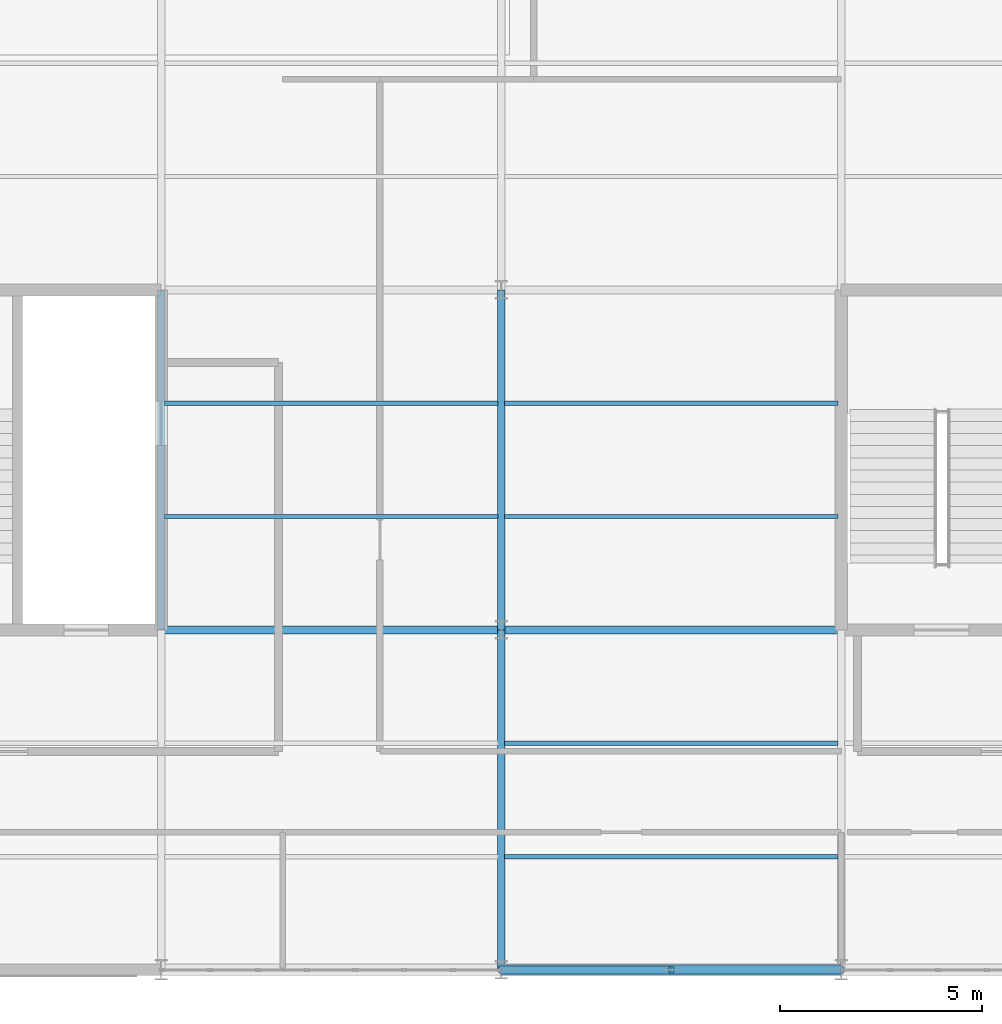
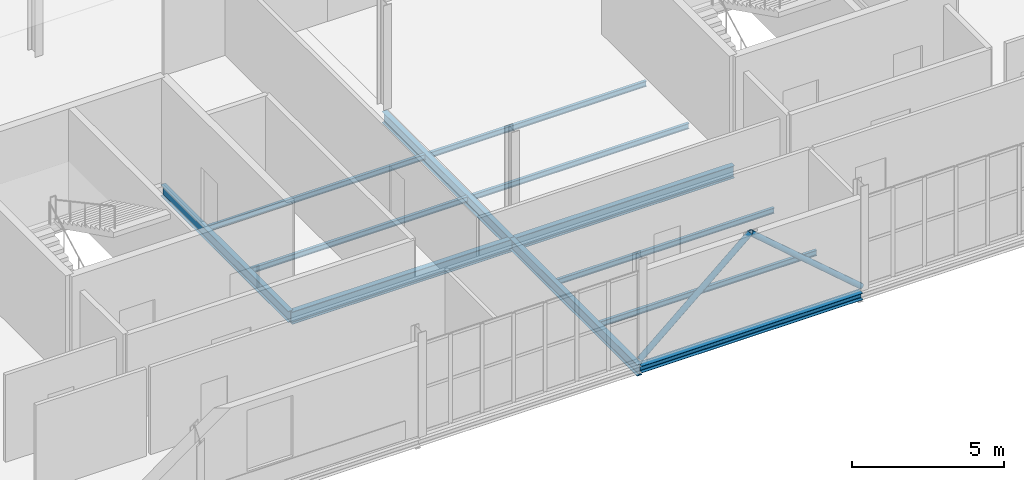
# One storey, part 18 of 65: 12 beams, 2 members.
"""IFC4 building model written with IfcOpenShell, lengths in metres."""

from ifc_helpers import new_model, si_unit, direction, frame, origin, origin_2d, place, context, subcontext, project, spatial, hollow_circle, i_section, extrude, material, material_profile, profile_set, type_object, element, save


model = new_model("IFC4")

# Units and contexts
model_context = context("Model", 3, precision=1e-05, world=origin(), true_north=direction((0.0, 1.0)))
body_context = subcontext(model_context, "Body", "Model", "MODEL_VIEW")
ifc_project = project(units=[si_unit("LENGTHUNIT", "METRE"), si_unit("AREAUNIT", "SQUARE_METRE"), si_unit("VOLUMEUNIT", "CUBIC_METRE"), si_unit("PLANEANGLEUNIT", "RADIAN"), si_unit("MASSUNIT", "GRAM", prefix="KILO")], contexts=[model_context])

# Site, building, storey
site_placement = place(None, origin())
site = spatial("IfcSite", under=ifc_project, at=site_placement, CompositionType="ELEMENT")
building_placement = place(site_placement, origin())
building = spatial("IfcBuilding", under=site, at=building_placement, Name="Qalvenar Corner Mobility Hub", CompositionType="ELEMENT")
storey_placement = place(building_placement, frame((0.0, 0.0, 17.39990234375)))
storey = spatial("IfcBuildingStorey", under=building, at=storey_placement, Name="L04", CompositionType="ELEMENT", Elevation=17.39990234375)

# Beams
ifc_material = material(Name="Steel S355", Category="steel")
ifc_material_profile_1 = material_profile(ifc_material, i_section(OverallWidth=0.18994140625, OverallDepth=0.449951171875, WebThickness=0.009521484375, FlangeThickness=0.0146484375, FilletRadius=0.02099609375, at=origin_2d()), Name="IPE450")
ifc_profile_set_1 = profile_set([ifc_material_profile_1], Name="Steel S355")
beam_type_1 = type_object("IfcBeamType", Name="BM-IPE450", PredefinedType="BEAM", material=ifc_profile_set_1)
beam_1_placement = place(storey_placement, frame((16.800048828125, 8.39990234375, -0.40478515625), z_axis=(0.0, 1.0, 0.0), x_axis=(-1.0, 0.0, 0.0)))
element("IfcBeam", 1, at=beam_1_placement, inside=storey, type_object=beam_type_1, Name="Primary Steel Girder GY-2638", PredefinedType="BEAM", context=body_context, shape_type="SweptSolid", body=[
    extrude(i_section(OverallWidth=0.18994140625, OverallDepth=0.449951171875, WebThickness=0.009521484375, FlangeThickness=0.0146484375, FilletRadius=0.02099609375, at=origin_2d()), origin(), (0.0, 0.0, 1.0), 8.400146484375),
])
beam_2_placement = place(storey_placement, frame((25.199951171875, 0.0, -0.40478515625), z_axis=(0.0, 1.0, 0.0), x_axis=(-1.0, 0.0, 0.0)))
element("IfcBeam", 2, at=beam_2_placement, inside=storey, type_object=beam_type_1, Name="Primary Steel Girder GY-2642", PredefinedType="BEAM", context=body_context, shape_type="SweptSolid", body=[
    extrude(i_section(OverallWidth=0.18994140625, OverallDepth=0.449951171875, WebThickness=0.009521484375, FlangeThickness=0.0146484375, FilletRadius=0.02099609375, at=origin_2d()), origin(), (0.0, 0.0, 1.0), 8.39990234375),
])
beam_3_placement = place(storey_placement, frame((25.199951171875, 8.39990234375, -0.40478515625), z_axis=(0.0, 1.0, 0.0), x_axis=(-1.0, 0.0, 0.0)))
element("IfcBeam", 3, at=beam_3_placement, inside=storey, type_object=beam_type_1, Name="Primary Steel Girder GY-2643", PredefinedType="BEAM", context=body_context, shape_type="SweptSolid", body=[
    extrude(i_section(OverallWidth=0.18994140625, OverallDepth=0.449951171875, WebThickness=0.009521484375, FlangeThickness=0.0146484375, FilletRadius=0.02099609375, at=origin_2d()), origin(), (0.0, 0.0, 1.0), 8.400146484375),
])
ifc_material_profile_2 = material_profile(ifc_material, i_section(OverallWidth=0.199951171875, OverallDepth=0.5, WebThickness=0.01025390625, FlangeThickness=0.01611328125, FilletRadius=0.02099609375, at=origin_2d()), Name="IPE500")
ifc_profile_set_2 = profile_set([ifc_material_profile_2], Name="Steel S355")
beam_type_2 = type_object("IfcBeamType", Name="BM-IPE500", PredefinedType="BEAM", material=ifc_profile_set_2)
beam_4_placement = place(storey_placement, frame((16.800048828125, 8.39990234375, -0.429931640625), z_axis=(1.0, 0.0, 0.0), x_axis=(0.0, 1.0, 0.0)))
element("IfcBeam", 4, at=beam_4_placement, inside=storey, type_object=beam_type_2, Name="Primary Steel Girder GX-2599", PredefinedType="BEAM", context=body_context, shape_type="SweptSolid", body=[
    extrude(i_section(OverallWidth=0.199951171875, OverallDepth=0.5, WebThickness=0.01025390625, FlangeThickness=0.01611328125, FilletRadius=0.02099609375, at=origin_2d()), origin(), (0.0, 0.0, 1.0), 8.39990234375),
])
beam_5_placement = place(storey_placement, frame((25.199951171875, 8.39990234375, -0.429931640625), z_axis=(1.0, 0.0, 0.0), x_axis=(0.0, 1.0, 0.0)))
element("IfcBeam", 5, at=beam_5_placement, inside=storey, type_object=beam_type_2, Name="Primary Steel Girder GX-2600", PredefinedType="BEAM", context=body_context, shape_type="SweptSolid", body=[
    extrude(i_section(OverallWidth=0.199951171875, OverallDepth=0.5, WebThickness=0.01025390625, FlangeThickness=0.01611328125, FilletRadius=0.02099609375, at=origin_2d()), origin(), (0.0, 0.0, 1.0), 8.400146484375),
])
ifc_material_profile_3 = material_profile(ifc_material, i_section(OverallWidth=0.110107421875, OverallDepth=0.219970703125, WebThickness=0.005859375, FlangeThickness=0.00927734375, FilletRadius=0.011962890625, at=origin_2d()), Name="IPE220")
ifc_profile_set_3 = profile_set([ifc_material_profile_3], Name="Steel S355")
beam_type_3 = type_object("IfcBeamType", Name="BM-JST220", PredefinedType="JOIST", material=ifc_profile_set_3)
for number, where, z_axis, x_axis, name in (
    (6, (16.8779296875, 11.199951171875, -0.289794921875), (1.0, 0.0, 0.0), (0.0, 1.0, 0.0), "Composite Floor Joist J-2683"),
    (7, (16.8779296875, 14.0, -0.289794921875), (1.0, 0.0, 0.0), (0.0, 1.0, 0.0), "Composite Floor Joist J-2684"),
):
    element("IfcBeam", number, at=place(storey_placement, frame(where, z_axis=z_axis, x_axis=x_axis)), inside=storey, type_object=beam_type_3, Name=name, PredefinedType="JOIST", context=body_context, shape_type="SweptSolid", body=[
        extrude(i_section(OverallWidth=0.110107421875, OverallDepth=0.219970703125, WebThickness=0.005859375, FlangeThickness=0.00927734375, FilletRadius=0.011962890625, at=origin_2d()), origin(), (0.0, 0.0, 1.0), 8.244140625),
    ])
for number, where, z_axis, x_axis, name in (
    (8, (25.278076171875, 2.800048828125, -0.289794921875), (1.0, 0.0, 0.0), (0.0, 1.0, 0.0), "Composite Floor Joist J-2691"),
    (9, (25.278076171875, 5.60009765625, -0.289794921875), (1.0, 0.0, 0.0), (0.0, 1.0, 0.0), "Composite Floor Joist J-2692"),
    (10, (25.278076171875, 11.199951171875, -0.289794921875), (1.0, 0.0, 0.0), (0.0, 1.0, 0.0), "Composite Floor Joist J-2693"),
    (11, (25.278076171875, 14.0, -0.289794921875), (1.0, 0.0, 0.0), (0.0, 1.0, 0.0), "Composite Floor Joist J-2694"),
):
    element("IfcBeam", number, at=place(storey_placement, frame(where, z_axis=z_axis, x_axis=x_axis)), inside=storey, type_object=beam_type_3, Name=name, PredefinedType="JOIST", context=body_context, shape_type="SweptSolid", body=[
        extrude(i_section(OverallWidth=0.110107421875, OverallDepth=0.219970703125, WebThickness=0.005859375, FlangeThickness=0.00927734375, FilletRadius=0.011962890625, at=origin_2d()), origin(), (0.0, 0.0, 1.0), 8.243896484375),
    ])
ifc_material_profile_4 = material_profile(ifc_material, i_section(OverallWidth=0.280029296875, OverallDepth=0.27001953125, WebThickness=0.008056640625, FlangeThickness=0.012939453125, FilletRadius=0.02392578125, at=origin_2d()), Name="HEA280")
ifc_profile_set_4 = profile_set([ifc_material_profile_4], Name="Steel S355")
beam_type_4 = type_object("IfcBeamType", Name="BM-SPN280", PredefinedType="SPANDREL", material=ifc_profile_set_4)
beam_6_placement = place(storey_placement, frame((25.199951171875, 0.0, -0.31494140625), z_axis=(1.0, 0.0, 0.0), x_axis=(0.0, 1.0, 0.0)))
element("IfcBeam", 12, at=beam_6_placement, inside=storey, type_object=beam_type_4, Name="Primary Steel Girder GX-2594", PredefinedType="SPANDREL", context=body_context, shape_type="SweptSolid", body=[
    extrude(i_section(OverallWidth=0.280029296875, OverallDepth=0.27001953125, WebThickness=0.008056640625, FlangeThickness=0.012939453125, FilletRadius=0.02392578125, at=origin_2d()), origin(), (0.0, 0.0, 1.0), 8.400146484375),
])

# Members
ifc_material_profile_5 = material_profile(ifc_material, hollow_circle(Radius=0.109619140625, WallThickness=0.010009765625, at=origin_2d()), Name="CHS219.1x10")
ifc_profile_set_5 = profile_set([ifc_material_profile_5], Name="Steel S355")
member_type = type_object("IfcMemberType", Name="BR-CHS219", PredefinedType="BRACE", material=ifc_profile_set_5)
for number, where, z_axis, x_axis, name in (
    (13, (25.199951171875, 0.0, 0.02001953125), (0.757457263903, 0.0, 0.652884747379), (0.0, 1.0, 0.0), "Chevron Lateral Brace BR-009"),
    (14, (33.60009765625, 0.0, 0.02001953125), (-0.757476031353, 0.0, 0.652862973315), (0.0, -1.0, 0.0), "Chevron Lateral Brace BR-010"),
):
    element("IfcMember", number, at=place(storey_placement, frame(where, z_axis=z_axis, x_axis=x_axis)), inside=storey, type_object=member_type, Name=name, PredefinedType="BRACE", context=body_context, shape_type="SweptSolid", body=[
        extrude(hollow_circle(Radius=0.109619140625, WallThickness=0.010009765625, at=origin_2d()), origin(), (0.0, 0.0, 1.0), 5.544921875),
    ])

save(model, "model.ifc")
